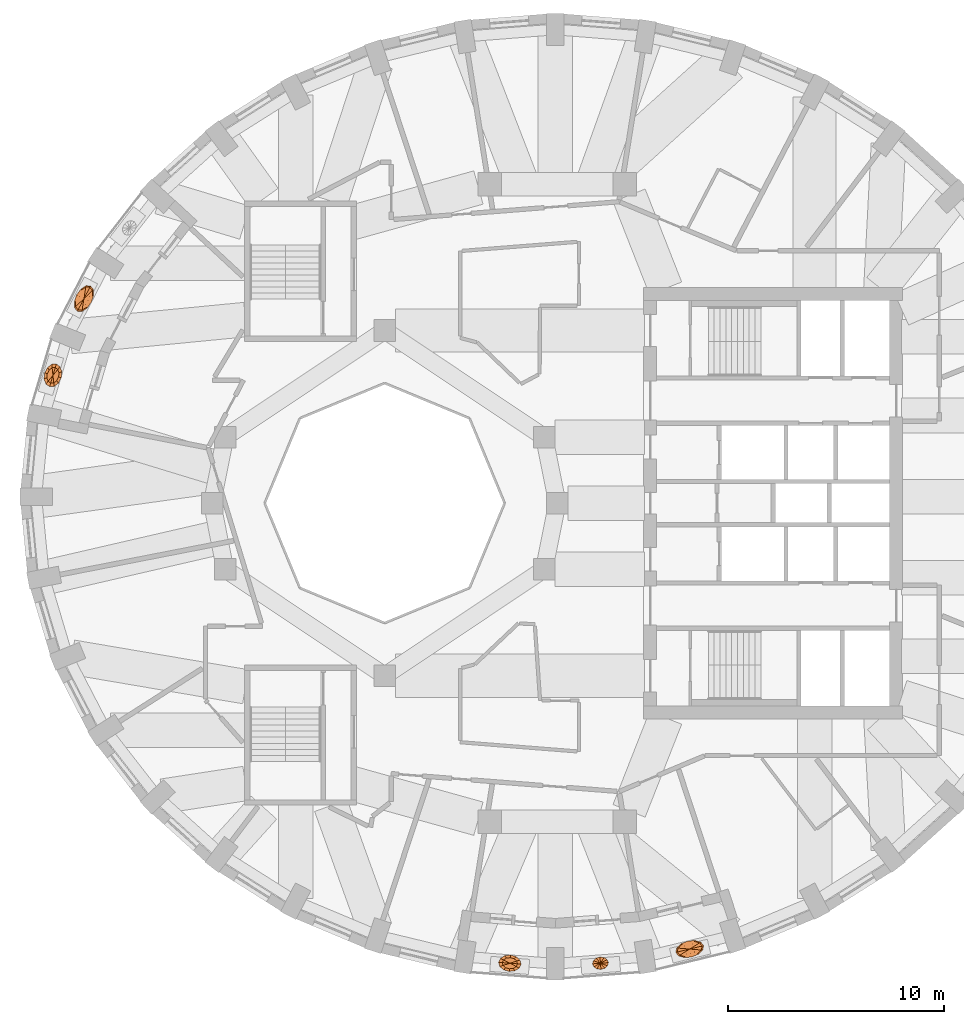
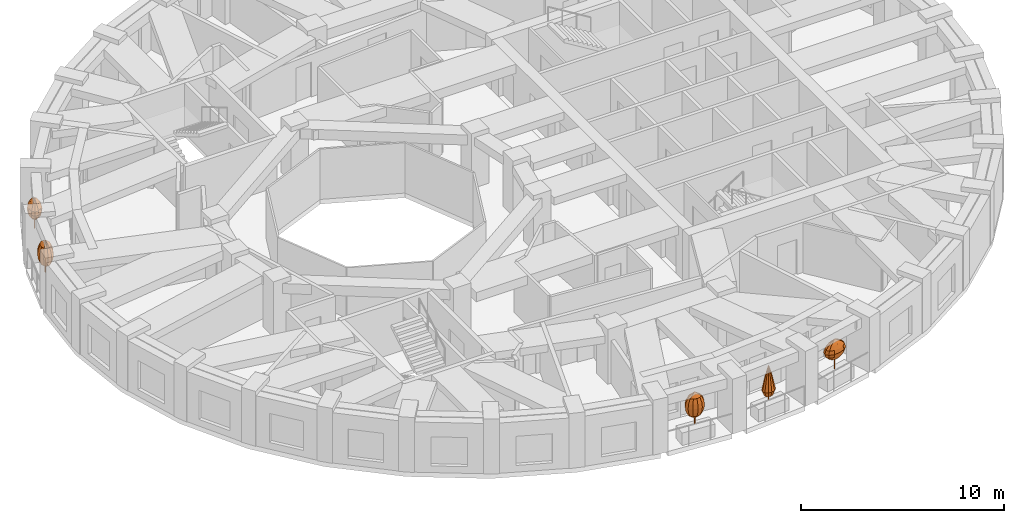
# One storey, part 11 of 12: 5 geographic elements.
"""IFC4 building model written with IfcOpenShell, lengths in metres."""

from ifc_helpers import new_model, si_unit, direction, frame, origin, place, context, subcontext, project, spatial, faceted_brep, material, constituent, constituent_set, type_object, element, save


model = new_model("IFC4")

# Units and contexts
model_context = context("Model", 3, precision=1e-05, world=origin(), true_north=direction((0.0, 1.0)))
body_context = subcontext(model_context, "Body", "Model", "MODEL_VIEW")
ifc_project = project(units=[si_unit("LENGTHUNIT", "METRE"), si_unit("AREAUNIT", "SQUARE_METRE"), si_unit("VOLUMEUNIT", "CUBIC_METRE"), si_unit("PLANEANGLEUNIT", "RADIAN"), si_unit("MASSUNIT", "GRAM", prefix="KILO")], contexts=[model_context])

# Site, building, storey
site_placement = place(None, origin())
site = spatial("IfcSite", under=ifc_project, at=site_placement, CompositionType="ELEMENT")
building_placement = place(site_placement, origin())
building = spatial("IfcBuilding", under=site, at=building_placement, Name="Taillehof Tower", CompositionType="ELEMENT")
storey_placement = place(building_placement, frame((0.0, 0.0, 249.800048828125)))
storey = spatial("IfcBuildingStorey", under=building, at=storey_placement, Name="L71", CompositionType="ELEMENT", Elevation=249.800048828125)

# Geographic elements
ifc_material_1 = material(Name="Tree bark", Category="timber")
ifc_constituent_1 = constituent(ifc_material_1, Name="Trunk", Category="timber")
ifc_material_2 = material(Name="Tree foliage")
ifc_constituent_2 = constituent(ifc_material_2, Name="Crown")
ifc_constituent_set_1 = constituent_set(constituents=[ifc_constituent_1, ifc_constituent_2], Name="Tree TR2 Fastigiate yew")
geographic_element_type_1 = type_object("IfcGeographicElementType", Name="Tree TR2 Fastigiate yew", PredefinedType="USERDEFINED", material=ifc_constituent_set_1)
geographic_element_1_placement = place(storey_placement, frame((-2.19921875, -21.32275390625, 0.75)))
element("IfcGeographicElement", 1, at=geographic_element_1_placement, inside=storey, type_object=geographic_element_type_1, Name="Tree TR2 Fastigiate yew", ObjectType="TREE", PredefinedType="USERDEFINED", context=body_context, shape_type="Brep", body=[
    faceted_brep([(0.034912109375, 0.0, 0.0), (0.024658203125, 0.024658203125, 0.0), (0.024658203125, 0.024658203125, 0.909912109375), (0.034912109375, 0.0, 0.909912109375), (0.0, 0.034912109375, 0.0), (0.0, 0.034912109375, 0.909912109375), (-0.024658203125, 0.024658203125, 0.0), (-0.024658203125, 0.024658203125, 0.909912109375), (-0.034912109375, 0.0, 0.0), (-0.034912109375, 0.0, 0.909912109375), (-0.024658203125, -0.024658203125, 0.0), (-0.024658203125, -0.024658203125, 0.909912109375), (0.0, -0.034912109375, 0.0), (0.0, -0.034912109375, 0.909912109375), (0.024658203125, -0.024658203125, 0.0), (0.024658203125, -0.024658203125, 0.909912109375)], [[[0, 1, 2, 3]], [[1, 4, 5, 2]], [[4, 6, 7, 5]], [[6, 8, 9, 7]], [[8, 10, 11, 9]], [[10, 12, 13, 11]], [[12, 14, 15, 13]], [[14, 0, 3, 15]], [[14, 12, 10, 8, 6, 4, 1, 0]], [[3, 2, 5, 7, 9, 11, 13, 15]]]),
    faceted_brep([(0.0, 0.0, 0.35009765625), (0.318359375, 0.105224609375, 0.61669921875), (0.355712890625, -0.028076171875, 0.61669921875), (0.195556640625, 0.2099609375, 0.61669921875), (0.020263671875, 0.2587890625, 0.61669921875), (-0.16015625, 0.238037109375, 0.61669921875), (-0.2978515625, 0.153564453125, 0.61669921875), (-0.355712890625, 0.028076171875, 0.61669921875), (-0.318359375, -0.105224609375, 0.61669921875), (-0.195556640625, -0.2099609375, 0.61669921875), (-0.020263671875, -0.2587890625, 0.61669921875), (0.16015625, -0.238037109375, 0.61669921875), (0.2978515625, -0.153564453125, 0.61669921875), (0.4306640625, 0.14208984375, 0.88330078125), (0.481201171875, -0.037841796875, 0.88330078125), (0.264404296875, 0.2841796875, 0.88330078125), (0.027587890625, 0.35009765625, 0.88330078125), (-0.216796875, 0.322021484375, 0.88330078125), (-0.403076171875, 0.207763671875, 0.88330078125), (-0.481201171875, 0.037841796875, 0.88330078125), (-0.4306640625, -0.14208984375, 0.88330078125), (-0.264404296875, -0.2841796875, 0.88330078125), (-0.027587890625, -0.35009765625, 0.88330078125), (0.216796875, -0.322021484375, 0.88330078125), (0.403076171875, -0.207763671875, 0.88330078125), (0.466064453125, 0.15380859375, 1.14990234375), (0.52099609375, -0.041015625, 1.14990234375), (0.286376953125, 0.3076171875, 1.14990234375), (0.02978515625, 0.37890625, 1.14990234375), (-0.234619140625, 0.3486328125, 1.14990234375), (-0.436279296875, 0.224853515625, 1.14990234375), (-0.52099609375, 0.041015625, 1.14990234375), (-0.466064453125, -0.15380859375, 1.14990234375), (-0.286376953125, -0.3076171875, 1.14990234375), (-0.02978515625, -0.37890625, 1.14990234375), (0.234619140625, -0.3486328125, 1.14990234375), (0.436279296875, -0.224853515625, 1.14990234375), (0.4306640625, 0.14208984375, 1.416748046875), (0.481201171875, -0.037841796875, 1.416748046875), (0.264404296875, 0.2841796875, 1.416748046875), (0.027587890625, 0.35009765625, 1.416748046875), (-0.216796875, 0.322021484375, 1.416748046875), (-0.403076171875, 0.207763671875, 1.416748046875), (-0.481201171875, 0.037841796875, 1.416748046875), (-0.4306640625, -0.14208984375, 1.416748046875), (-0.264404296875, -0.2841796875, 1.416748046875), (-0.027587890625, -0.35009765625, 1.416748046875), (0.216796875, -0.322021484375, 1.416748046875), (0.403076171875, -0.207763671875, 1.416748046875), (0.318359375, 0.105224609375, 1.683349609375), (0.355712890625, -0.028076171875, 1.683349609375), (0.195556640625, 0.2099609375, 1.683349609375), (0.020263671875, 0.2587890625, 1.683349609375), (-0.16015625, 0.238037109375, 1.683349609375), (-0.2978515625, 0.153564453125, 1.683349609375), (-0.355712890625, 0.028076171875, 1.683349609375), (-0.318359375, -0.105224609375, 1.683349609375), (-0.195556640625, -0.2099609375, 1.683349609375), (-0.020263671875, -0.2587890625, 1.683349609375), (0.16015625, -0.238037109375, 1.683349609375), (0.2978515625, -0.153564453125, 1.683349609375), (0.0, 0.0, 1.949951171875)], [[[0, 1, 2]], [[0, 3, 1]], [[0, 4, 3]], [[0, 5, 4]], [[0, 6, 5]], [[0, 7, 6]], [[0, 8, 7]], [[0, 9, 8]], [[0, 10, 9]], [[0, 11, 10]], [[0, 12, 11]], [[0, 2, 12]], [[2, 1, 13, 14]], [[1, 3, 15, 13]], [[3, 4, 16, 15]], [[4, 5, 17, 16]], [[5, 6, 18, 17]], [[6, 7, 19, 18]], [[7, 8, 20, 19]], [[8, 9, 21, 20]], [[9, 10, 22, 21]], [[10, 11, 23, 22]], [[11, 12, 24, 23]], [[12, 2, 14, 24]], [[14, 13, 25, 26]], [[13, 15, 27, 25]], [[15, 16, 28, 27]], [[16, 17, 29, 28]], [[17, 18, 30, 29]], [[18, 19, 31, 30]], [[19, 20, 32, 31]], [[20, 21, 33, 32]], [[21, 22, 34, 33]], [[22, 23, 35, 34]], [[23, 24, 36, 35]], [[24, 14, 26, 36]], [[26, 25, 37, 38]], [[25, 27, 39, 37]], [[27, 28, 40, 39]], [[28, 29, 41, 40]], [[29, 30, 42, 41]], [[30, 31, 43, 42]], [[31, 32, 44, 43]], [[32, 33, 45, 44]], [[33, 34, 46, 45]], [[34, 35, 47, 46]], [[35, 36, 48, 47]], [[36, 26, 38, 48]], [[38, 37, 49, 50]], [[37, 39, 51, 49]], [[39, 40, 52, 51]], [[40, 41, 53, 52]], [[41, 42, 54, 53]], [[42, 43, 55, 54]], [[43, 44, 56, 55]], [[44, 45, 57, 56]], [[45, 46, 58, 57]], [[46, 47, 59, 58]], [[47, 48, 60, 59]], [[48, 38, 50, 60]], [[50, 49, 61]], [[49, 51, 61]], [[51, 52, 61]], [[52, 53, 61]], [[53, 54, 61]], [[54, 55, 61]], [[55, 56, 61]], [[56, 57, 61]], [[57, 58, 61]], [[58, 59, 61]], [[59, 60, 61]], [[60, 50, 61]]]),
])
geographic_element_2_placement = place(storey_placement, frame((-23.373291015625, 5.92041015625, 0.75)))
element("IfcGeographicElement", 2, at=geographic_element_2_placement, inside=storey, type_object=geographic_element_type_1, Name="Tree TR2 Fastigiate yew", ObjectType="TREE", PredefinedType="USERDEFINED", context=body_context, shape_type="Brep", body=[
    faceted_brep([(0.034912109375, 0.0, 0.0), (0.024658203125, 0.024658203125, 0.0), (0.024658203125, 0.024658203125, 0.909912109375), (0.034912109375, 0.0, 0.909912109375), (0.0, 0.034912109375, 0.0), (0.0, 0.034912109375, 0.909912109375), (-0.024658203125, 0.024658203125, 0.0), (-0.024658203125, 0.024658203125, 0.909912109375), (-0.034912109375, 0.0, 0.0), (-0.034912109375, 0.0, 0.909912109375), (-0.024658203125, -0.024658203125, 0.0), (-0.024658203125, -0.024658203125, 0.909912109375), (0.0, -0.034912109375, 0.0), (0.0, -0.034912109375, 0.909912109375), (0.024658203125, -0.024658203125, 0.0), (0.024658203125, -0.024658203125, 0.909912109375)], [[[0, 1, 2, 3]], [[1, 4, 5, 2]], [[4, 6, 7, 5]], [[6, 8, 9, 7]], [[8, 10, 11, 9]], [[10, 12, 13, 11]], [[12, 14, 15, 13]], [[14, 0, 3, 15]], [[14, 12, 10, 8, 6, 4, 1, 0]], [[3, 2, 5, 7, 9, 11, 13, 15]]]),
    faceted_brep([(0.0, 0.0, 0.35009765625), (0.0380859375, -0.350830078125, 0.61669921875), (-0.107177734375, -0.360107421875, 0.61669921875), (0.173095703125, -0.24755859375, 0.61669921875), (0.261962890625, -0.077880859375, 0.61669921875), (0.2802734375, 0.112548828125, 0.61669921875), (0.2236328125, 0.27294921875, 0.61669921875), (0.107177734375, 0.360107421875, 0.61669921875), (-0.0380859375, 0.350830078125, 0.61669921875), (-0.173095703125, 0.24755859375, 0.61669921875), (-0.261962890625, 0.077880859375, 0.61669921875), (-0.2802734375, -0.112548828125, 0.61669921875), (-0.2236328125, -0.27294921875, 0.61669921875), (0.051513671875, -0.474609375, 0.88330078125), (-0.14501953125, -0.487060546875, 0.88330078125), (0.234375, -0.334716796875, 0.88330078125), (0.354248046875, -0.10546875, 0.88330078125), (0.379150390625, 0.15234375, 0.88330078125), (0.302734375, 0.369140625, 0.88330078125), (0.14501953125, 0.487060546875, 0.88330078125), (-0.051513671875, 0.474609375, 0.88330078125), (-0.234375, 0.334716796875, 0.88330078125), (-0.354248046875, 0.10546875, 0.88330078125), (-0.379150390625, -0.15234375, 0.88330078125), (-0.302734375, -0.369140625, 0.88330078125), (0.055908203125, -0.513671875, 1.14990234375), (-0.156982421875, -0.527099609375, 1.14990234375), (0.253662109375, -0.3623046875, 1.14990234375), (0.38330078125, -0.114013671875, 1.14990234375), (0.410400390625, 0.164794921875, 1.14990234375), (0.32763671875, 0.3994140625, 1.14990234375), (0.156982421875, 0.527099609375, 1.14990234375), (-0.055908203125, 0.513671875, 1.14990234375), (-0.253662109375, 0.3623046875, 1.14990234375), (-0.38330078125, 0.114013671875, 1.14990234375), (-0.410400390625, -0.164794921875, 1.14990234375), (-0.32763671875, -0.3994140625, 1.14990234375), (0.051513671875, -0.474609375, 1.416748046875), (-0.14501953125, -0.487060546875, 1.416748046875), (0.234375, -0.334716796875, 1.416748046875), (0.354248046875, -0.10546875, 1.416748046875), (0.379150390625, 0.15234375, 1.416748046875), (0.302734375, 0.369140625, 1.416748046875), (0.14501953125, 0.487060546875, 1.416748046875), (-0.051513671875, 0.474609375, 1.416748046875), (-0.234375, 0.334716796875, 1.416748046875), (-0.354248046875, 0.10546875, 1.416748046875), (-0.379150390625, -0.15234375, 1.416748046875), (-0.302734375, -0.369140625, 1.416748046875), (0.0380859375, -0.350830078125, 1.683349609375), (-0.107177734375, -0.360107421875, 1.683349609375), (0.173095703125, -0.24755859375, 1.683349609375), (0.261962890625, -0.077880859375, 1.683349609375), (0.2802734375, 0.112548828125, 1.683349609375), (0.2236328125, 0.27294921875, 1.683349609375), (0.107177734375, 0.360107421875, 1.683349609375), (-0.0380859375, 0.350830078125, 1.683349609375), (-0.173095703125, 0.24755859375, 1.683349609375), (-0.261962890625, 0.077880859375, 1.683349609375), (-0.2802734375, -0.112548828125, 1.683349609375), (-0.2236328125, -0.27294921875, 1.683349609375), (0.0, 0.0, 1.949951171875)], [[[0, 1, 2]], [[0, 3, 1]], [[0, 4, 3]], [[0, 5, 4]], [[0, 6, 5]], [[0, 7, 6]], [[0, 8, 7]], [[0, 9, 8]], [[0, 10, 9]], [[0, 11, 10]], [[0, 12, 11]], [[0, 2, 12]], [[2, 1, 13, 14]], [[1, 3, 15, 13]], [[3, 4, 16, 15]], [[4, 5, 17, 16]], [[5, 6, 18, 17]], [[6, 7, 19, 18]], [[7, 8, 20, 19]], [[8, 9, 21, 20]], [[9, 10, 22, 21]], [[10, 11, 23, 22]], [[11, 12, 24, 23]], [[12, 2, 14, 24]], [[14, 13, 25, 26]], [[13, 15, 27, 25]], [[15, 16, 28, 27]], [[16, 17, 29, 28]], [[17, 18, 30, 29]], [[18, 19, 31, 30]], [[19, 20, 32, 31]], [[20, 21, 33, 32]], [[21, 22, 34, 33]], [[22, 23, 35, 34]], [[23, 24, 36, 35]], [[24, 14, 26, 36]], [[26, 25, 37, 38]], [[25, 27, 39, 37]], [[27, 28, 40, 39]], [[28, 29, 41, 40]], [[29, 30, 42, 41]], [[30, 31, 43, 42]], [[31, 32, 44, 43]], [[32, 33, 45, 44]], [[33, 34, 46, 45]], [[34, 35, 47, 46]], [[35, 36, 48, 47]], [[36, 26, 38, 48]], [[38, 37, 49, 50]], [[37, 39, 51, 49]], [[39, 40, 52, 51]], [[40, 41, 53, 52]], [[41, 42, 54, 53]], [[42, 43, 55, 54]], [[43, 44, 56, 55]], [[44, 45, 57, 56]], [[45, 46, 58, 57]], [[46, 47, 59, 58]], [[47, 48, 60, 59]], [[48, 38, 50, 60]], [[50, 49, 61]], [[49, 51, 61]], [[51, 52, 61]], [[52, 53, 61]], [[53, 54, 61]], [[54, 55, 61]], [[55, 56, 61]], [[56, 57, 61]], [[57, 58, 61]], [[58, 59, 61]], [[59, 60, 61]], [[60, 50, 61]]]),
])
ifc_material_3 = material(Name="Tree bark", Category="timber")
ifc_constituent_3 = constituent(ifc_material_3, Name="Trunk", Category="timber")
ifc_material_4 = material(Name="Tree foliage")
ifc_constituent_4 = constituent(ifc_material_4, Name="Crown")
ifc_constituent_set_2 = constituent_set(constituents=[ifc_constituent_3, ifc_constituent_4], Name="Tree TR4 Sea buckthorn standard")
geographic_element_type_2 = type_object("IfcGeographicElementType", Name="Tree TR4 Sea buckthorn standard", PredefinedType="USERDEFINED", material=ifc_constituent_set_2)
geographic_element_3_placement = place(storey_placement, frame((6.1337890625, -20.666259765625, 0.75)))
element("IfcGeographicElement", 3, at=geographic_element_3_placement, inside=storey, type_object=geographic_element_type_2, Name="Tree TR4 Sea buckthorn standard", ObjectType="TREE", PredefinedType="USERDEFINED", context=body_context, shape_type="Brep", body=[
    faceted_brep([(0.030029296875, 0.0, 0.0), (0.021240234375, 0.021240234375, 0.0), (0.021240234375, 0.021240234375, 0.98095703125), (0.030029296875, 0.0, 0.98095703125), (0.0, 0.030029296875, 0.0), (0.0, 0.030029296875, 0.98095703125), (-0.021240234375, 0.021240234375, 0.0), (-0.021240234375, 0.021240234375, 0.98095703125), (-0.030029296875, 0.0, 0.0), (-0.030029296875, 0.0, 0.98095703125), (-0.021240234375, -0.021240234375, 0.0), (-0.021240234375, -0.021240234375, 0.98095703125), (0.0, -0.030029296875, 0.0), (0.0, -0.030029296875, 0.98095703125), (0.021240234375, -0.021240234375, 0.0), (0.021240234375, -0.021240234375, 0.98095703125)], [[[0, 1, 2, 3]], [[1, 4, 5, 2]], [[4, 6, 7, 5]], [[6, 8, 9, 7]], [[8, 10, 11, 9]], [[10, 12, 13, 11]], [[12, 14, 15, 13]], [[14, 0, 3, 15]], [[14, 12, 10, 8, 6, 4, 1, 0]], [[3, 2, 5, 7, 9, 11, 13, 15]]]),
    faceted_brep([(0.0, 0.0, 0.5400390625), (0.2958984375, 0.18359375, 0.75), (0.371337890625, 0.089599609375, 0.75), (0.141357421875, 0.228515625, 0.75), (-0.05126953125, 0.212158203125, 0.75), (-0.22998046875, 0.138916015625, 0.75), (-0.34716796875, 0.028564453125, 0.75), (-0.371337890625, -0.089599609375, 0.75), (-0.2958984375, -0.18359375, 0.75), (-0.141357421875, -0.228515625, 0.75), (0.05126953125, -0.212158203125, 0.75), (0.22998046875, -0.138916015625, 0.75), (0.34716796875, -0.028564453125, 0.75), (0.459228515625, 0.284912109375, 0.9599609375), (0.576171875, 0.138916015625, 0.9599609375), (0.21923828125, 0.354736328125, 0.9599609375), (-0.079345703125, 0.329345703125, 0.9599609375), (-0.35693359375, 0.215576171875, 0.9599609375), (-0.538818359375, 0.044189453125, 0.9599609375), (-0.576171875, -0.138916015625, 0.9599609375), (-0.459228515625, -0.284912109375, 0.9599609375), (-0.21923828125, -0.354736328125, 0.9599609375), (0.079345703125, -0.329345703125, 0.9599609375), (0.35693359375, -0.215576171875, 0.9599609375), (0.538818359375, -0.044189453125, 0.9599609375), (0.515380859375, 0.31982421875, 1.169921875), (0.646484375, 0.156005859375, 1.169921875), (0.24609375, 0.39794921875, 1.169921875), (-0.089111328125, 0.369384765625, 1.169921875), (-0.400390625, 0.241943359375, 1.169921875), (-0.6044921875, 0.049560546875, 1.169921875), (-0.646484375, -0.156005859375, 1.169921875), (-0.515380859375, -0.31982421875, 1.169921875), (-0.24609375, -0.39794921875, 1.169921875), (0.089111328125, -0.369384765625, 1.169921875), (0.400390625, -0.241943359375, 1.169921875), (0.6044921875, -0.049560546875, 1.169921875), (0.459228515625, 0.284912109375, 1.3798828125), (0.576171875, 0.138916015625, 1.3798828125), (0.21923828125, 0.354736328125, 1.3798828125), (-0.079345703125, 0.329345703125, 1.3798828125), (-0.35693359375, 0.215576171875, 1.3798828125), (-0.538818359375, 0.044189453125, 1.3798828125), (-0.576171875, -0.138916015625, 1.3798828125), (-0.459228515625, -0.284912109375, 1.3798828125), (-0.21923828125, -0.354736328125, 1.3798828125), (0.079345703125, -0.329345703125, 1.3798828125), (0.35693359375, -0.215576171875, 1.3798828125), (0.538818359375, -0.044189453125, 1.3798828125), (0.2958984375, 0.18359375, 1.590087890625), (0.371337890625, 0.089599609375, 1.590087890625), (0.141357421875, 0.228515625, 1.590087890625), (-0.05126953125, 0.212158203125, 1.590087890625), (-0.22998046875, 0.138916015625, 1.590087890625), (-0.34716796875, 0.028564453125, 1.590087890625), (-0.371337890625, -0.089599609375, 1.590087890625), (-0.2958984375, -0.18359375, 1.590087890625), (-0.141357421875, -0.228515625, 1.590087890625), (0.05126953125, -0.212158203125, 1.590087890625), (0.22998046875, -0.138916015625, 1.590087890625), (0.34716796875, -0.028564453125, 1.590087890625), (0.0, 0.0, 1.800048828125)], [[[0, 1, 2]], [[0, 3, 1]], [[0, 4, 3]], [[0, 5, 4]], [[0, 6, 5]], [[0, 7, 6]], [[0, 8, 7]], [[0, 9, 8]], [[0, 10, 9]], [[0, 11, 10]], [[0, 12, 11]], [[0, 2, 12]], [[2, 1, 13, 14]], [[1, 3, 15, 13]], [[3, 4, 16, 15]], [[4, 5, 17, 16]], [[5, 6, 18, 17]], [[6, 7, 19, 18]], [[7, 8, 20, 19]], [[8, 9, 21, 20]], [[9, 10, 22, 21]], [[10, 11, 23, 22]], [[11, 12, 24, 23]], [[12, 2, 14, 24]], [[14, 13, 25, 26]], [[13, 15, 27, 25]], [[15, 16, 28, 27]], [[16, 17, 29, 28]], [[17, 18, 30, 29]], [[18, 19, 31, 30]], [[19, 20, 32, 31]], [[20, 21, 33, 32]], [[21, 22, 34, 33]], [[22, 23, 35, 34]], [[23, 24, 36, 35]], [[24, 14, 26, 36]], [[26, 25, 37, 38]], [[25, 27, 39, 37]], [[27, 28, 40, 39]], [[28, 29, 41, 40]], [[29, 30, 42, 41]], [[30, 31, 43, 42]], [[31, 32, 44, 43]], [[32, 33, 45, 44]], [[33, 34, 46, 45]], [[34, 35, 47, 46]], [[35, 36, 48, 47]], [[36, 26, 38, 48]], [[38, 37, 49, 50]], [[37, 39, 51, 49]], [[39, 40, 52, 51]], [[40, 41, 53, 52]], [[41, 42, 54, 53]], [[42, 43, 55, 54]], [[43, 44, 56, 55]], [[44, 45, 57, 56]], [[45, 46, 58, 57]], [[46, 47, 59, 58]], [[47, 48, 60, 59]], [[48, 38, 50, 60]], [[50, 49, 61]], [[49, 51, 61]], [[51, 52, 61]], [[52, 53, 61]], [[53, 54, 61]], [[54, 55, 61]], [[55, 56, 61]], [[56, 57, 61]], [[57, 58, 61]], [[58, 59, 61]], [[59, 60, 61]], [[60, 50, 61]]]),
])
geographic_element_4_placement = place(storey_placement, frame((-21.935791015625, 9.4765625, 0.75)))
element("IfcGeographicElement", 4, at=geographic_element_4_placement, inside=storey, type_object=geographic_element_type_2, Name="Tree TR4 Sea buckthorn standard", ObjectType="TREE", PredefinedType="USERDEFINED", context=body_context, shape_type="Brep", body=[
    faceted_brep([(0.030029296875, 0.0, 0.0), (0.021240234375, 0.021240234375, 0.0), (0.021240234375, 0.021240234375, 0.98095703125), (0.030029296875, 0.0, 0.98095703125), (0.0, 0.030029296875, 0.0), (0.0, 0.030029296875, 0.98095703125), (-0.021240234375, 0.021240234375, 0.0), (-0.021240234375, 0.021240234375, 0.98095703125), (-0.030029296875, 0.0, 0.0), (-0.030029296875, 0.0, 0.98095703125), (-0.021240234375, -0.021240234375, 0.0), (-0.021240234375, -0.021240234375, 0.98095703125), (0.0, -0.030029296875, 0.0), (0.0, -0.030029296875, 0.98095703125), (0.021240234375, -0.021240234375, 0.0), (0.021240234375, -0.021240234375, 0.98095703125)], [[[0, 1, 2, 3]], [[1, 4, 5, 2]], [[4, 6, 7, 5]], [[6, 8, 9, 7]], [[8, 10, 11, 9]], [[10, 12, 13, 11]], [[12, 14, 15, 13]], [[14, 0, 3, 15]], [[14, 12, 10, 8, 6, 4, 1, 0]], [[3, 2, 5, 7, 9, 11, 13, 15]]]),
    faceted_brep([(0.0, 0.0, 0.5400390625), (-0.05517578125, -0.343994140625, 0.75), (-0.175537109375, -0.339111328125, 0.75), (0.080078125, -0.256591796875, 0.75), (0.19384765625, -0.100341796875, 0.75), (0.255615234375, 0.082763671875, 0.75), (0.2490234375, 0.24365234375, 0.75), (0.175537109375, 0.339111328125, 0.75), (0.05517578125, 0.343994140625, 0.75), (-0.080078125, 0.256591796875, 0.75), (-0.19384765625, 0.100341796875, 0.75), (-0.255615234375, -0.082763671875, 0.75), (-0.2490234375, -0.24365234375, 0.75), (-0.085693359375, -0.53369140625, 0.9599609375), (-0.272705078125, -0.5263671875, 0.9599609375), (0.124267578125, -0.39794921875, 0.9599609375), (0.30078125, -0.15576171875, 0.9599609375), (0.396728515625, 0.128173828125, 0.9599609375), (0.386474609375, 0.3779296875, 0.9599609375), (0.272705078125, 0.5263671875, 0.9599609375), (0.085693359375, 0.53369140625, 0.9599609375), (-0.124267578125, 0.39794921875, 0.9599609375), (-0.30078125, 0.15576171875, 0.9599609375), (-0.396728515625, -0.128173828125, 0.9599609375), (-0.386474609375, -0.3779296875, 0.9599609375), (-0.09619140625, -0.598876953125, 1.169921875), (-0.305908203125, -0.590576171875, 1.169921875), (0.139404296875, -0.446533203125, 1.169921875), (0.33740234375, -0.1748046875, 1.169921875), (0.445068359375, 0.143798828125, 1.169921875), (0.43359375, 0.424072265625, 1.169921875), (0.305908203125, 0.590576171875, 1.169921875), (0.09619140625, 0.598876953125, 1.169921875), (-0.139404296875, 0.446533203125, 1.169921875), (-0.33740234375, 0.1748046875, 1.169921875), (-0.445068359375, -0.143798828125, 1.169921875), (-0.43359375, -0.424072265625, 1.169921875), (-0.085693359375, -0.53369140625, 1.3798828125), (-0.272705078125, -0.5263671875, 1.3798828125), (0.124267578125, -0.39794921875, 1.3798828125), (0.30078125, -0.15576171875, 1.3798828125), (0.396728515625, 0.128173828125, 1.3798828125), (0.386474609375, 0.3779296875, 1.3798828125), (0.272705078125, 0.5263671875, 1.3798828125), (0.085693359375, 0.53369140625, 1.3798828125), (-0.124267578125, 0.39794921875, 1.3798828125), (-0.30078125, 0.15576171875, 1.3798828125), (-0.396728515625, -0.128173828125, 1.3798828125), (-0.386474609375, -0.3779296875, 1.3798828125), (-0.05517578125, -0.343994140625, 1.590087890625), (-0.175537109375, -0.339111328125, 1.590087890625), (0.080078125, -0.256591796875, 1.590087890625), (0.19384765625, -0.100341796875, 1.590087890625), (0.255615234375, 0.082763671875, 1.590087890625), (0.2490234375, 0.24365234375, 1.590087890625), (0.175537109375, 0.339111328125, 1.590087890625), (0.05517578125, 0.343994140625, 1.590087890625), (-0.080078125, 0.256591796875, 1.590087890625), (-0.19384765625, 0.100341796875, 1.590087890625), (-0.255615234375, -0.082763671875, 1.590087890625), (-0.2490234375, -0.24365234375, 1.590087890625), (0.0, 0.0, 1.800048828125)], [[[0, 1, 2]], [[0, 3, 1]], [[0, 4, 3]], [[0, 5, 4]], [[0, 6, 5]], [[0, 7, 6]], [[0, 8, 7]], [[0, 9, 8]], [[0, 10, 9]], [[0, 11, 10]], [[0, 12, 11]], [[0, 2, 12]], [[2, 1, 13, 14]], [[1, 3, 15, 13]], [[3, 4, 16, 15]], [[4, 5, 17, 16]], [[5, 6, 18, 17]], [[6, 7, 19, 18]], [[7, 8, 20, 19]], [[8, 9, 21, 20]], [[9, 10, 22, 21]], [[10, 11, 23, 22]], [[11, 12, 24, 23]], [[12, 2, 14, 24]], [[14, 13, 25, 26]], [[13, 15, 27, 25]], [[15, 16, 28, 27]], [[16, 17, 29, 28]], [[17, 18, 30, 29]], [[18, 19, 31, 30]], [[19, 20, 32, 31]], [[20, 21, 33, 32]], [[21, 22, 34, 33]], [[22, 23, 35, 34]], [[23, 24, 36, 35]], [[24, 14, 26, 36]], [[26, 25, 37, 38]], [[25, 27, 39, 37]], [[27, 28, 40, 39]], [[28, 29, 41, 40]], [[29, 30, 42, 41]], [[30, 31, 43, 42]], [[31, 32, 44, 43]], [[32, 33, 45, 44]], [[33, 34, 46, 45]], [[34, 35, 47, 46]], [[35, 36, 48, 47]], [[36, 26, 38, 48]], [[38, 37, 49, 50]], [[37, 39, 51, 49]], [[39, 40, 52, 51]], [[40, 41, 53, 52]], [[41, 42, 54, 53]], [[42, 43, 55, 54]], [[43, 44, 56, 55]], [[44, 45, 57, 56]], [[45, 46, 58, 57]], [[46, 47, 59, 58]], [[47, 48, 60, 59]], [[48, 38, 50, 60]], [[50, 49, 61]], [[49, 51, 61]], [[51, 52, 61]], [[52, 53, 61]], [[53, 54, 61]], [[54, 55, 61]], [[55, 56, 61]], [[56, 57, 61]], [[57, 58, 61]], [[58, 59, 61]], [[59, 60, 61]], [[60, 50, 61]]]),
])
ifc_material_5 = material(Name="Tree bark", Category="timber")
ifc_constituent_5 = constituent(ifc_material_5, Name="Trunk", Category="timber")
ifc_material_6 = material(Name="Tree foliage")
ifc_constituent_6 = constituent(ifc_material_6, Name="Crown")
ifc_constituent_set_3 = constituent_set(constituents=[ifc_constituent_5, ifc_constituent_6], Name="Tree TR5 Columnar juniper")
geographic_element_type_3 = type_object("IfcGeographicElementType", Name="Tree TR5 Columnar juniper", PredefinedType="USERDEFINED", material=ifc_constituent_set_3)
geographic_element_5_placement = place(storey_placement, frame((1.999267578125, -21.32275390625, 0.75)))
element("IfcGeographicElement", 5, at=geographic_element_5_placement, inside=storey, type_object=geographic_element_type_3, Name="Tree TR5 Columnar juniper", ObjectType="TREE", PredefinedType="USERDEFINED", context=body_context, shape_type="Brep", body=[
    faceted_brep([(0.02490234375, 0.0, 0.0), (0.017578125, 0.017578125, 0.0), (0.017578125, 0.017578125, 0.929931640625), (0.02490234375, 0.0, 0.929931640625), (0.0, 0.02490234375, 0.0), (0.0, 0.02490234375, 0.929931640625), (-0.017578125, 0.017578125, 0.0), (-0.017578125, 0.017578125, 0.929931640625), (-0.02490234375, 0.0, 0.0), (-0.02490234375, 0.0, 0.929931640625), (-0.017578125, -0.017578125, 0.0), (-0.017578125, -0.017578125, 0.929931640625), (0.0, -0.02490234375, 0.0), (0.0, -0.02490234375, 0.929931640625), (0.017578125, -0.017578125, 0.0), (0.017578125, -0.017578125, 0.929931640625)], [[[0, 1, 2, 3]], [[1, 4, 5, 2]], [[4, 6, 7, 5]], [[6, 8, 9, 7]], [[8, 10, 11, 9]], [[10, 12, 13, 11]], [[12, 14, 15, 13]], [[14, 0, 3, 15]], [[14, 12, 10, 8, 6, 4, 1, 0]], [[3, 2, 5, 7, 9, 11, 13, 15]]]),
    faceted_brep([(0.246826171875, 0.01953125, 0.300048828125), (0.2060546875, 0.11279296875, 0.300048828125), (0.3076171875, 0.16845703125, 0.60009765625), (0.368408203125, 0.029052734375, 0.60009765625), (0.1103515625, 0.176025390625, 0.300048828125), (0.16455078125, 0.2626953125, 0.60009765625), (-0.01513671875, 0.19189453125, 0.300048828125), (-0.0224609375, 0.286376953125, 0.60009765625), (-0.136474609375, 0.156494140625, 0.300048828125), (-0.20361328125, 0.233642578125, 0.60009765625), (-0.22119140625, 0.0791015625, 0.300048828125), (-0.330322265625, 0.1181640625, 0.60009765625), (-0.246826171875, -0.01953125, 0.300048828125), (-0.368408203125, -0.029052734375, 0.60009765625), (-0.2060546875, -0.11279296875, 0.300048828125), (-0.3076171875, -0.16845703125, 0.60009765625), (-0.1103515625, -0.176025390625, 0.300048828125), (-0.16455078125, -0.2626953125, 0.60009765625), (0.01513671875, -0.19189453125, 0.300048828125), (0.0224609375, -0.286376953125, 0.60009765625), (0.136474609375, -0.156494140625, 0.300048828125), (0.20361328125, -0.233642578125, 0.60009765625), (0.22119140625, -0.0791015625, 0.300048828125), (0.330322265625, -0.1181640625, 0.60009765625), (0.25732421875, 0.140869140625, 0.89990234375), (0.30810546875, 0.024169921875, 0.89990234375), (0.1376953125, 0.2197265625, 0.89990234375), (-0.018798828125, 0.23974609375, 0.89990234375), (-0.17041015625, 0.1953125, 0.89990234375), (-0.2763671875, 0.098876953125, 0.89990234375), (-0.30810546875, -0.024169921875, 0.89990234375), (-0.25732421875, -0.140869140625, 0.89990234375), (-0.1376953125, -0.2197265625, 0.89990234375), (0.018798828125, -0.23974609375, 0.89990234375), (0.17041015625, -0.1953125, 0.89990234375), (0.2763671875, -0.098876953125, 0.89990234375), (0.20458984375, 0.11181640625, 1.199951171875), (0.244873046875, 0.019287109375, 1.199951171875), (0.109375, 0.174560546875, 1.199951171875), (-0.014892578125, 0.1904296875, 1.199951171875), (-0.13525390625, 0.1552734375, 1.199951171875), (-0.219482421875, 0.07861328125, 1.199951171875), (-0.244873046875, -0.019287109375, 1.199951171875), (-0.20458984375, -0.11181640625, 1.199951171875), (-0.109375, -0.174560546875, 1.199951171875), (0.014892578125, -0.1904296875, 1.199951171875), (0.13525390625, -0.1552734375, 1.199951171875), (0.219482421875, -0.07861328125, 1.199951171875), (0.14794921875, 0.080810546875, 1.5), (0.177001953125, 0.013916015625, 1.5), (0.0791015625, 0.126220703125, 1.5), (-0.0107421875, 0.1376953125, 1.5), (-0.097900390625, 0.1123046875, 1.5), (-0.15869140625, 0.056640625, 1.5), (-0.177001953125, -0.013916015625, 1.5), (-0.14794921875, -0.080810546875, 1.5), (-0.0791015625, -0.126220703125, 1.5), (0.0107421875, -0.1376953125, 1.5), (0.097900390625, -0.1123046875, 1.5), (0.15869140625, -0.056640625, 1.5), (0.0849609375, 0.04638671875, 1.800048828125), (0.1015625, 0.008056640625, 1.800048828125), (0.04541015625, 0.072509765625, 1.800048828125), (-0.00634765625, 0.0791015625, 1.800048828125), (-0.05615234375, 0.064453125, 1.800048828125), (-0.091064453125, 0.03271484375, 1.800048828125), (-0.1015625, -0.008056640625, 1.800048828125), (-0.0849609375, -0.04638671875, 1.800048828125), (-0.04541015625, -0.072509765625, 1.800048828125), (0.00634765625, -0.0791015625, 1.800048828125), (0.05615234375, -0.064453125, 1.800048828125), (0.091064453125, -0.03271484375, 1.800048828125), (0.0, 0.0, 2.10009765625)], [[[0, 1, 2, 3]], [[1, 4, 5, 2]], [[4, 6, 7, 5]], [[6, 8, 9, 7]], [[8, 10, 11, 9]], [[10, 12, 13, 11]], [[12, 14, 15, 13]], [[14, 16, 17, 15]], [[16, 18, 19, 17]], [[18, 20, 21, 19]], [[20, 22, 23, 21]], [[22, 0, 3, 23]], [[3, 2, 24, 25]], [[2, 5, 26, 24]], [[5, 7, 27, 26]], [[7, 9, 28, 27]], [[9, 11, 29, 28]], [[11, 13, 30, 29]], [[13, 15, 31, 30]], [[15, 17, 32, 31]], [[17, 19, 33, 32]], [[19, 21, 34, 33]], [[21, 23, 35, 34]], [[23, 3, 25, 35]], [[25, 24, 36, 37]], [[24, 26, 38, 36]], [[26, 27, 39, 38]], [[27, 28, 40, 39]], [[28, 29, 41, 40]], [[29, 30, 42, 41]], [[30, 31, 43, 42]], [[31, 32, 44, 43]], [[32, 33, 45, 44]], [[33, 34, 46, 45]], [[34, 35, 47, 46]], [[35, 25, 37, 47]], [[37, 36, 48, 49]], [[36, 38, 50, 48]], [[38, 39, 51, 50]], [[39, 40, 52, 51]], [[40, 41, 53, 52]], [[41, 42, 54, 53]], [[42, 43, 55, 54]], [[43, 44, 56, 55]], [[44, 45, 57, 56]], [[45, 46, 58, 57]], [[46, 47, 59, 58]], [[47, 37, 49, 59]], [[49, 48, 60, 61]], [[48, 50, 62, 60]], [[50, 51, 63, 62]], [[51, 52, 64, 63]], [[52, 53, 65, 64]], [[53, 54, 66, 65]], [[54, 55, 67, 66]], [[55, 56, 68, 67]], [[56, 57, 69, 68]], [[57, 58, 70, 69]], [[58, 59, 71, 70]], [[59, 49, 61, 71]], [[61, 60, 72]], [[60, 62, 72]], [[62, 63, 72]], [[63, 64, 72]], [[64, 65, 72]], [[65, 66, 72]], [[66, 67, 72]], [[67, 68, 72]], [[68, 69, 72]], [[69, 70, 72]], [[70, 71, 72]], [[71, 61, 72]], [[22, 20, 18, 16, 14, 12, 10, 8, 6, 4, 1, 0]]]),
])

save(model, "model.ifc")
